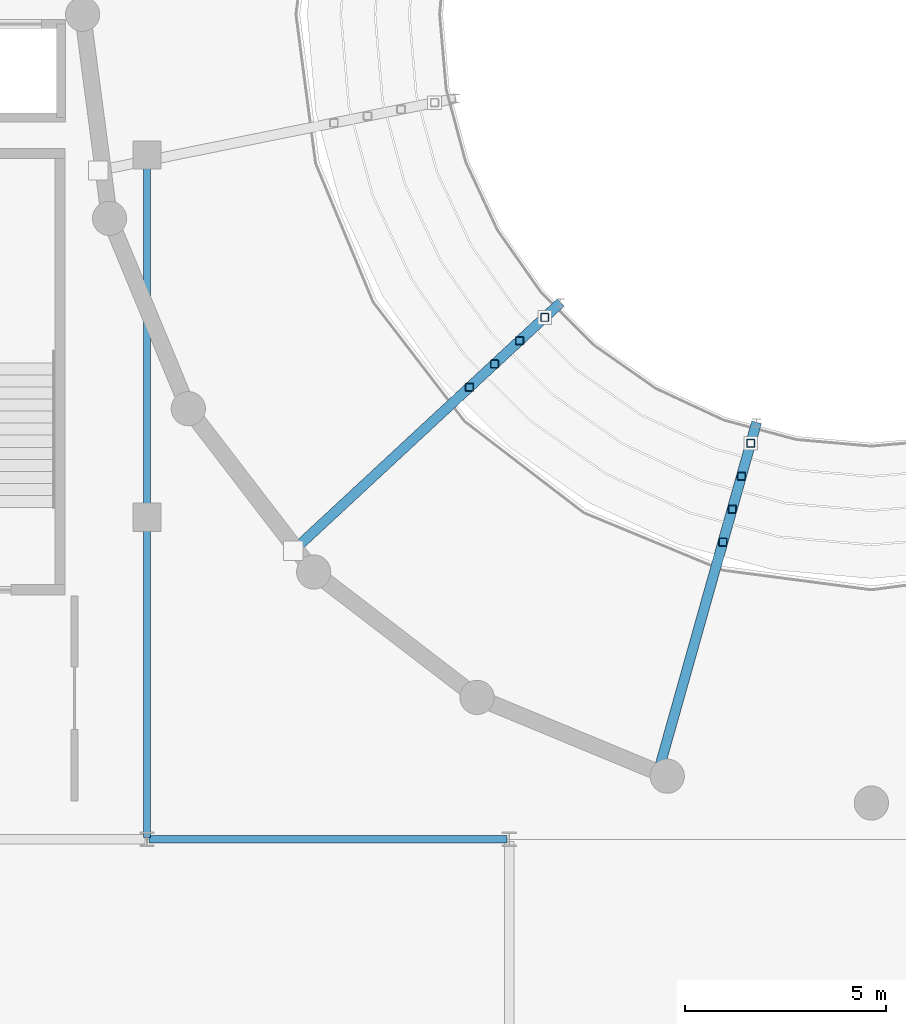
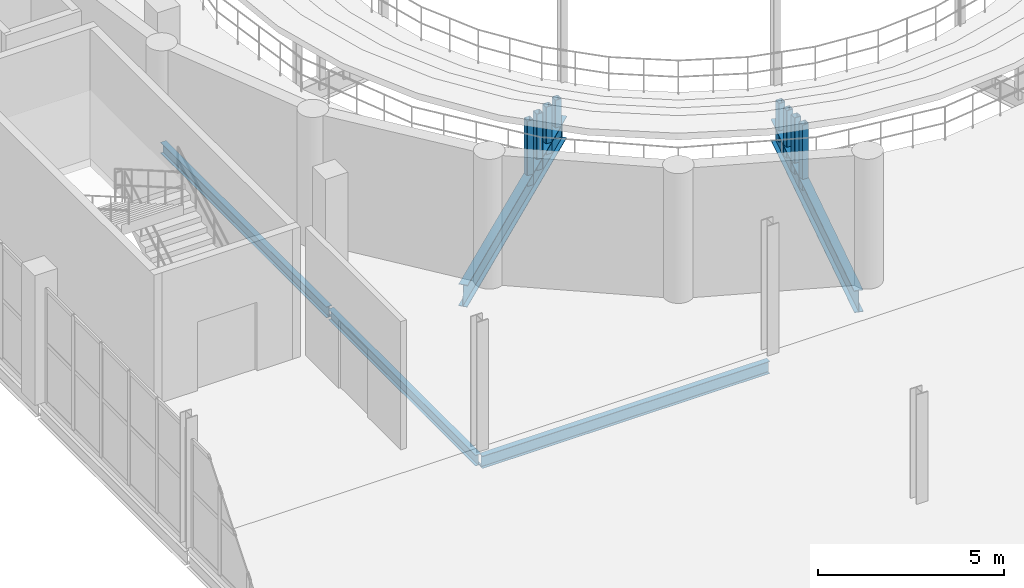
# One storey, part 27 of 73: 8 members, 5 beams.
"""IFC4 building model written with IfcOpenShell, lengths in metres."""

from ifc_helpers import new_model, si_unit, direction, frame, origin, origin_2d, place, context, subcontext, project, spatial, hollow_rectangle, i_section, extrude, material, material_profile, profile_set, type_object, element, save


model = new_model("IFC4")

# Units and contexts
model_context = context("Model", 3, precision=1e-05, world=origin(), true_north=direction((0.0, 1.0)))
body_context = subcontext(model_context, "Body", "Model", "MODEL_VIEW")
ifc_project = project(units=[si_unit("LENGTHUNIT", "METRE"), si_unit("AREAUNIT", "SQUARE_METRE"), si_unit("VOLUMEUNIT", "CUBIC_METRE"), si_unit("PLANEANGLEUNIT", "RADIAN"), si_unit("MASSUNIT", "GRAM", prefix="KILO")], contexts=[model_context])

# Site, building, storey
site_placement = place(None, origin())
site = spatial("IfcSite", under=ifc_project, at=site_placement, CompositionType="ELEMENT")
building_placement = place(site_placement, origin())
building = spatial("IfcBuilding", under=site, at=building_placement, Name="Marnock Terrace Opera House", CompositionType="ELEMENT")
storey_placement = place(building_placement, frame((0.0, 0.0, 14.699951171875)))
storey = spatial("IfcBuildingStorey", under=building, at=storey_placement, Name="L03", CompositionType="ELEMENT", Elevation=14.699951171875)

# Beams
ifc_material_1 = material(Name="Steel Grade 350 (AS/NZS 3679.1)", Category="steel")
ifc_material_profile_1 = material_profile(ifc_material_1, i_section(OverallWidth=0.1708984375, OverallDepth=0.355712890625, WebThickness=0.00732421875, FlangeThickness=0.011474609375, FilletRadius=0.011474609375, at=origin_2d()))
ifc_profile_set_1 = profile_set([ifc_material_profile_1], Name="Steel Grade 350 (AS/NZS 3679.1)")
beam_type_1 = type_object("IfcBeamType", Name="BM-GIRD-360", PredefinedType="BEAM", material=ifc_profile_set_1)
beam_1_placement = place(storey_placement, frame((64.0, 40.050048828125, -0.437744140625), z_axis=(0.0, 1.0, 0.0), x_axis=(-1.0, 0.0, 0.0)))
element("IfcBeam", 1, at=beam_1_placement, inside=storey, type_object=beam_type_1, Name="L03 girder (X=64.0, 40.0..48.0)", PredefinedType="BEAM", context=body_context, shape_type="SweptSolid", body=[
    extrude(i_section(OverallWidth=0.1708984375, OverallDepth=0.355712890625, WebThickness=0.00732421875, FlangeThickness=0.011474609375, FilletRadius=0.011474609375, at=origin_2d()), origin(), (0.0, 0.0, 1.0), 7.89990234375),
])
beam_2_placement = place(storey_placement, frame((64.0, 48.050048828125, -0.437744140625), z_axis=(0.0, 1.0, 0.0), x_axis=(-1.0, 0.0, 0.0)))
element("IfcBeam", 2, at=beam_2_placement, inside=storey, type_object=beam_type_1, Name="L03 girder (X=64.0, 48.0..57.0)", PredefinedType="BEAM", context=body_context, shape_type="SweptSolid", body=[
    extrude(i_section(OverallWidth=0.1708984375, OverallDepth=0.355712890625, WebThickness=0.00732421875, FlangeThickness=0.011474609375, FilletRadius=0.011474609375, at=origin_2d()), origin(), (0.0, 0.0, 1.0), 8.89990234375),
])
ifc_material_profile_2 = material_profile(ifc_material_1, i_section(OverallWidth=0.177978515625, OverallDepth=0.402587890625, WebThickness=0.007568359375, FlangeThickness=0.010986328125, FilletRadius=0.011474609375, at=origin_2d()))
ifc_profile_set_2 = profile_set([ifc_material_profile_2], Name="Steel Grade 350 (AS/NZS 3679.1)")
beam_type_2 = type_object("IfcBeamType", Name="BM-GIRD-410", PredefinedType="BEAM", material=ifc_profile_set_2)
beam_3_placement = place(storey_placement, frame((64.050048828125, 40.0, -0.461181640625), z_axis=(1.0, 0.0, 0.0), x_axis=(0.0, 1.0, 0.0)))
element("IfcBeam", 3, at=beam_3_placement, inside=storey, type_object=beam_type_2, Name="L03 girder (64.0..73.0, Y=40.0)", PredefinedType="BEAM", context=body_context, shape_type="SweptSolid", body=[
    extrude(i_section(OverallWidth=0.177978515625, OverallDepth=0.402587890625, WebThickness=0.007568359375, FlangeThickness=0.010986328125, FilletRadius=0.011474609375, at=origin_2d()), origin(), (0.0, 0.0, 1.0), 8.89990234375),
])
ifc_material_2 = material(Name="Steel Grade 350 Welded (AS/NZS 3679.2)", Category="steel")
ifc_material_profile_3 = material_profile(ifc_material_2, i_section(OverallWidth=0.25, OverallDepth=0.699951171875, WebThickness=0.011962890625, FlangeThickness=0.02001953125, at=origin_2d()))
ifc_profile_set_3 = profile_set([ifc_material_profile_3], Name="Steel Grade 350 Welded (AS/NZS 3679.2)")
beam_type_3 = type_object("IfcBeamType", Name="BM-RAKER-700", PredefinedType="BEAM", material=ifc_profile_set_3)
beam_4_placement = place(storey_placement, frame((74.266357421875, 53.32421875, -1.159912109375), z_axis=(-0.73190120059, -0.679083865845, 0.056264871128), x_axis=(0.68016132476, -0.733062461391, 0.0)))
element("IfcBeam", 4, at=beam_4_placement, inside=storey, type_object=beam_type_3, Name="L03 Auditorium raker girder 3", PredefinedType="BEAM", context=body_context, shape_type="SweptSolid", body=[
    extrude(i_section(OverallWidth=0.25, OverallDepth=0.699951171875, WebThickness=0.011962890625, FlangeThickness=0.02001953125, at=origin_2d()), origin(), (0.0, 0.0, 1.0), 9.064453125),
])
beam_5_placement = place(storey_placement, frame((79.142578125, 50.34423828125, -1.159912109375), z_axis=(-0.270420407323, -0.961096752439, 0.056265760049), x_axis=(0.962621711454, -0.270849479668, 0.0)))
element("IfcBeam", 5, at=beam_5_placement, inside=storey, type_object=beam_type_3, Name="L03 Auditorium raker girder 4", PredefinedType="BEAM", context=body_context, shape_type="SweptSolid", body=[
    extrude(i_section(OverallWidth=0.25, OverallDepth=0.699951171875, WebThickness=0.011962890625, FlangeThickness=0.02001953125, at=origin_2d()), origin(), (0.0, 0.0, 1.0), 9.064208984375),
])

# Members
ifc_material_3 = material(Name="Cold-formed Steel Grade C350L0 (AS/NZS 1163)", Category="steel")
ifc_material_profile_4 = material_profile(ifc_material_3, hollow_rectangle(XDim=0.199951171875, YDim=0.199951171875, WallThickness=0.009033203125, InnerFilletRadius=0.009033203125, OuterFilletRadius=0.01806640625, at=origin_2d()))
ifc_profile_set_4 = profile_set([ifc_material_profile_4], Name="Cold-formed Steel Grade C350L0 (AS/NZS 1163)")
member_type = type_object("IfcMemberType", Name="MEM-TRUSS-WEB2", PredefinedType="BRACE", material=ifc_profile_set_4)
member_1_placement = place(storey_placement, frame((73.881591796875, 52.967041015625, -1.13037109375), z_axis=(0.0, 0.0, 1.0), x_axis=(1.0, 0.0, 0.0)))
element("IfcMember", 6, at=member_1_placement, inside=storey, type_object=member_type, Name="L03 Auditorium tier support post 3.1", PredefinedType="BRACE", context=body_context, shape_type="SweptSolid", body=[
    extrude(hollow_rectangle(XDim=0.199951171875, YDim=0.199951171875, WallThickness=0.009033203125, InnerFilletRadius=0.009033203125, OuterFilletRadius=0.01806640625, at=origin_2d()), origin(), (0.0, 0.0, 1.0), 1.260498046875),
])
member_2_placement = place(storey_placement, frame((73.25830078125, 52.388916015625, -1.08251953125), z_axis=(0.0, 0.0, 1.0), x_axis=(1.0, 0.0, 0.0)))
element("IfcMember", 7, at=member_2_placement, inside=storey, type_object=member_type, Name="L03 Auditorium tier support post 3.2", PredefinedType="BRACE", context=body_context, shape_type="SweptSolid", body=[
    extrude(hollow_rectangle(XDim=0.199951171875, YDim=0.199951171875, WallThickness=0.009033203125, InnerFilletRadius=0.009033203125, OuterFilletRadius=0.01806640625, at=origin_2d()), origin(), (0.0, 0.0, 1.0), 1.552490234375),
])
member_3_placement = place(storey_placement, frame((72.63525390625, 51.810791015625, -1.03466796875), z_axis=(0.0, 0.0, 1.0), x_axis=(1.0, 0.0, 0.0)))
element("IfcMember", 8, at=member_3_placement, inside=storey, type_object=member_type, Name="L03 Auditorium tier support post 3.3", PredefinedType="BRACE", context=body_context, shape_type="SweptSolid", body=[
    extrude(hollow_rectangle(XDim=0.199951171875, YDim=0.199951171875, WallThickness=0.009033203125, InnerFilletRadius=0.009033203125, OuterFilletRadius=0.01806640625, at=origin_2d()), origin(), (0.0, 0.0, 1.0), 1.8447265625),
])
member_4_placement = place(storey_placement, frame((72.01220703125, 51.232666015625, -0.986572265625), z_axis=(0.0, 0.0, 1.0), x_axis=(1.0, 0.0, 0.0)))
element("IfcMember", 9, at=member_4_placement, inside=storey, type_object=member_type, Name="L03 Auditorium tier support post 3.4", PredefinedType="BRACE", context=body_context, shape_type="SweptSolid", body=[
    extrude(hollow_rectangle(XDim=0.199951171875, YDim=0.199951171875, WallThickness=0.009033203125, InnerFilletRadius=0.009033203125, OuterFilletRadius=0.01806640625, at=origin_2d()), origin(), (0.0, 0.0, 1.0), 2.13671875),
])
member_5_placement = place(storey_placement, frame((79.00048828125, 49.8388671875, -1.13037109375), z_axis=(0.0, 0.0, 1.0), x_axis=(1.0, 0.0, 0.0)))
element("IfcMember", 10, at=member_5_placement, inside=storey, type_object=member_type, Name="L03 Auditorium tier support post 4.1", PredefinedType="BRACE", context=body_context, shape_type="SweptSolid", body=[
    extrude(hollow_rectangle(XDim=0.199951171875, YDim=0.199951171875, WallThickness=0.009033203125, InnerFilletRadius=0.009033203125, OuterFilletRadius=0.01806640625, at=origin_2d()), origin(), (0.0, 0.0, 1.0), 1.260498046875),
])
member_6_placement = place(storey_placement, frame((78.770263671875, 49.020751953125, -1.08251953125), z_axis=(0.0, 0.0, 1.0), x_axis=(1.0, 0.0, 0.0)))
element("IfcMember", 11, at=member_6_placement, inside=storey, type_object=member_type, Name="L03 Auditorium tier support post 4.2", PredefinedType="BRACE", context=body_context, shape_type="SweptSolid", body=[
    extrude(hollow_rectangle(XDim=0.199951171875, YDim=0.199951171875, WallThickness=0.009033203125, InnerFilletRadius=0.009033203125, OuterFilletRadius=0.01806640625, at=origin_2d()), origin(), (0.0, 0.0, 1.0), 1.552490234375),
])
member_7_placement = place(storey_placement, frame((78.5400390625, 48.202392578125, -1.03466796875), z_axis=(0.0, 0.0, 1.0), x_axis=(1.0, 0.0, 0.0)))
element("IfcMember", 12, at=member_7_placement, inside=storey, type_object=member_type, Name="L03 Auditorium tier support post 4.3", PredefinedType="BRACE", context=body_context, shape_type="SweptSolid", body=[
    extrude(hollow_rectangle(XDim=0.199951171875, YDim=0.199951171875, WallThickness=0.009033203125, InnerFilletRadius=0.009033203125, OuterFilletRadius=0.01806640625, at=origin_2d()), origin(), (0.0, 0.0, 1.0), 1.8447265625),
])
member_8_placement = place(storey_placement, frame((78.309814453125, 47.38427734375, -0.986572265625), z_axis=(0.0, 0.0, 1.0), x_axis=(1.0, 0.0, 0.0)))
element("IfcMember", 13, at=member_8_placement, inside=storey, type_object=member_type, Name="L03 Auditorium tier support post 4.4", PredefinedType="BRACE", context=body_context, shape_type="SweptSolid", body=[
    extrude(hollow_rectangle(XDim=0.199951171875, YDim=0.199951171875, WallThickness=0.009033203125, InnerFilletRadius=0.009033203125, OuterFilletRadius=0.01806640625, at=origin_2d()), origin(), (0.0, 0.0, 1.0), 2.13671875),
])

save(model, "model.ifc")
